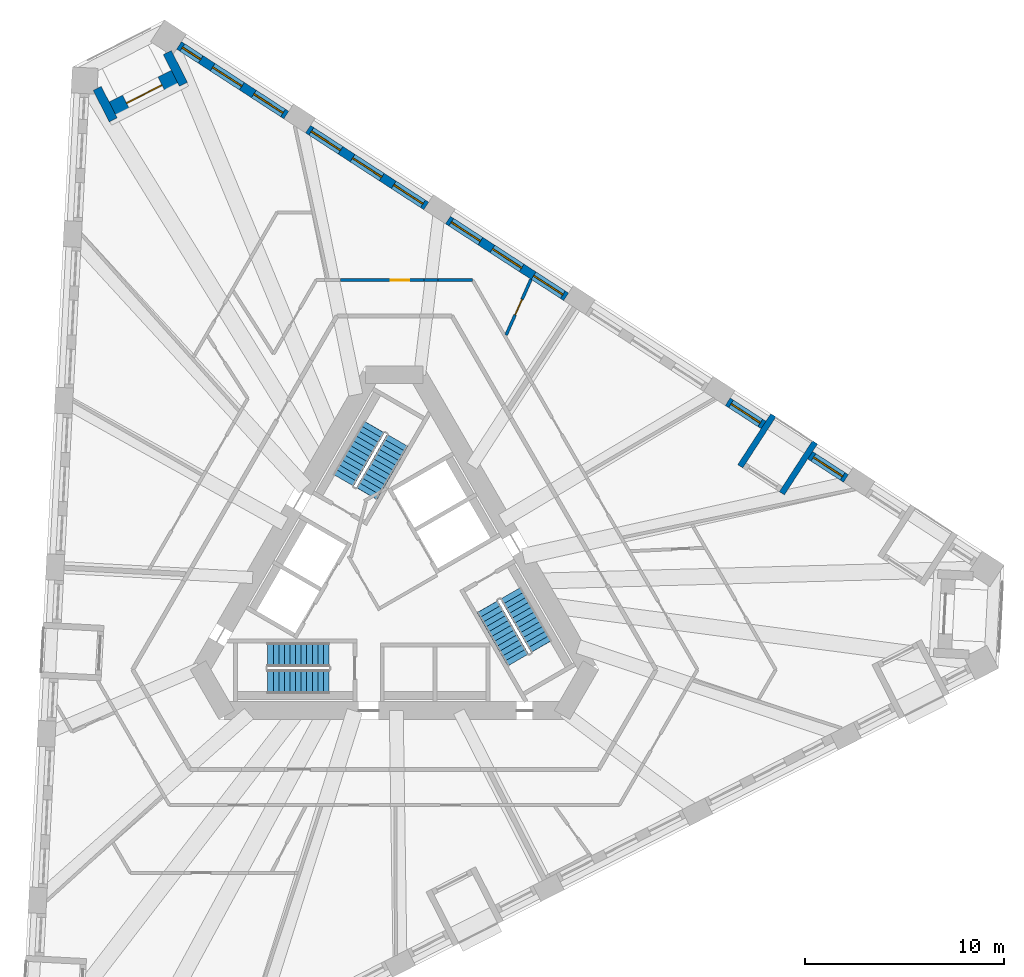
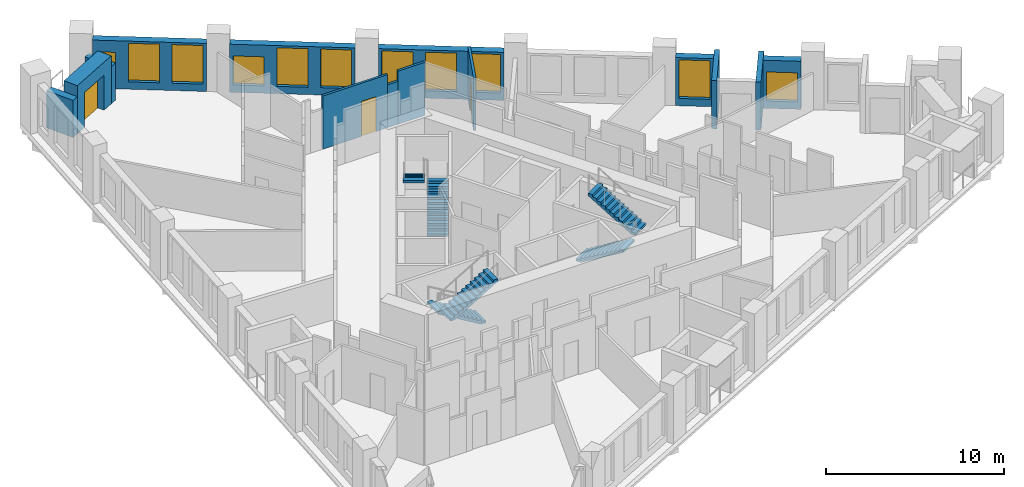
# One storey, part 8 of 12: 14 walls, 11 windows, 6 stair flights, 3 doors, 14 openings, 3 elements without a shape of their own.
"""IFC4 building model written with IfcOpenShell, lengths in metres."""

from ifc_helpers import new_model, si_unit, direction, frame, frame_2d, origin, place, context, subcontext, project, spatial, polyline, rectangle, outline, extrude, material, layer, layer_set, type_object, element, fill, aggregate, save


model = new_model("IFC4")

# Units and contexts
model_context = context("Model", 3, precision=1e-05, world=origin(), true_north=direction((0.0, 1.0)))
body_context = subcontext(model_context, "Body", "Model", "MODEL_VIEW")
ifc_project = project(units=[si_unit("LENGTHUNIT", "METRE"), si_unit("AREAUNIT", "SQUARE_METRE"), si_unit("VOLUMEUNIT", "CUBIC_METRE"), si_unit("PLANEANGLEUNIT", "RADIAN"), si_unit("MASSUNIT", "GRAM", prefix="KILO")], contexts=[model_context])

# Site, building, storey
site_placement = place(None, origin())
site = spatial("IfcSite", under=ifc_project, at=site_placement, CompositionType="ELEMENT")
building_placement = place(site_placement, origin())
building = spatial("IfcBuilding", under=site, at=building_placement, Name="Tramontana Tower", CompositionType="ELEMENT")
storey_placement = place(building_placement, frame((0.0, 0.0, 129.60009765625)))
storey = spatial("IfcBuildingStorey", under=building, at=storey_placement, Name="L29", CompositionType="ELEMENT", Elevation=129.60009765625)

# Wall, opening, window
ifc_material_1 = material(Name="Precast concrete 60 MPa", Category="concrete")
ifc_layer_1 = layer(ifc_material_1, 0.449951171875)
ifc_layer_set_1 = layer_set([ifc_layer_1], Name="Precast concrete 60 MPa, 450 mm")
wall_type_1 = type_object("IfcWallType", Name="EW1 Stone-faced precast wall 450", PredefinedType="SOLIDWALL", material=ifc_layer_set_1)
wall_1_placement = place(storey_placement, frame((22.660400390625, 5.345703125, 0.0), z_axis=(0.0, 0.0, 1.0), x_axis=(-0.838675466927, 0.544631491171, 0.0)))
wall_1 = element("IfcWall", 1, at=wall_1_placement, inside=storey, type_object=wall_type_1, Name="External wall L29 face 2 bay 2", PredefinedType="SOLIDWALL", context=body_context, shape_type="SweptSolid", body=[
    extrude(rectangle(XDim=2.140380859375, YDim=0.449951171875, at=frame_2d((1.0703125, 0.0))), origin(), (0.0, 0.0, 1.0), 3.2998046875),
])
opening_1_placement = place(wall_1_placement, frame((0.1953125, 0.0, 0.5)))
opening_1 = element("IfcOpeningElement", 2, at=opening_1_placement, cuts=wall_1, Name="Opening M2L", PredefinedType="OPENING", context=body_context, shape_type="SweptSolid", body=[
    extrude(rectangle(XDim=1.75, YDim=2.0, at=frame_2d((0.875, 1.0))), frame((0.0, 0.23486328125, 0.0), z_axis=(0.0, -1.0, 0.0), x_axis=(1.0, 0.0, 0.0)), (0.0, 0.0, 1.0), 0.469970703125),
])
ifc_material_2 = material(Name="Aluminum frame, double glazing unit", Category="aluminium")
window_type_1 = type_object("IfcWindowType", Name="M2L Window 1.75 x 2", PartitioningType="SINGLE_PANEL", PredefinedType="WINDOW", material=ifc_material_2)
window_1_placement = place(opening_1_placement, origin())
window_1 = element("IfcWindow", 3, at=window_1_placement, inside=storey, type_object=window_type_1, Name="Window M2L L29 face 2 module 4", OverallHeight=2.0, OverallWidth=1.75, PartitioningType="SINGLE_PANEL", PredefinedType="WINDOW", context=body_context, shape_type="SweptSolid", body=[
    extrude(rectangle(XDim=1.75, YDim=2.0, at=frame_2d((0.875, 1.0))), frame((0.0, 0.030029296875, 0.0), z_axis=(0.0, -1.0, 0.0), x_axis=(1.0, 0.0, 0.0)), (0.0, 0.0, 1.0), 0.06005859375),
])
fill(opening_1, window_1)

wall_2_placement = place(storey_placement, frame((18.52490234375, 8.03125, 0.0), z_axis=(0.0, 0.0, 1.0), x_axis=(-0.838675466927, 0.544631491171, 0.0)))
wall_2 = element("IfcWall", 4, at=wall_2_placement, inside=storey, type_object=wall_type_1, Name="External wall L29 face 2 bay 2", PredefinedType="SOLIDWALL", context=body_context, shape_type="SweptSolid", body=[
    extrude(rectangle(XDim=2.140380859375, YDim=0.449951171875, at=frame_2d((1.0703125, 0.0))), origin(), (0.0, 0.0, 1.0), 3.2998046875),
])
opening_2_placement = place(wall_2_placement, frame((0.1953125, 0.0, 0.5)))
opening_2 = element("IfcOpeningElement", 5, at=opening_2_placement, cuts=wall_2, Name="Opening M2", PredefinedType="OPENING", context=body_context, shape_type="SweptSolid", body=[
    extrude(rectangle(XDim=1.75, YDim=2.64990234375, at=frame_2d((0.875, 1.324951171875))), frame((0.0, 0.23486328125, 0.0), z_axis=(0.0, -1.0, 0.0), x_axis=(1.0, 0.0, 0.0)), (0.0, 0.0, 1.0), 0.469970703125),
])
ifc_material_3 = material(Name="Aluminum frame, double glazing unit", Category="aluminium")
window_type_2 = type_object("IfcWindowType", Name="M2 Window 1.75 x 2.65", PartitioningType="SINGLE_PANEL", PredefinedType="WINDOW", material=ifc_material_3)
window_2_placement = place(opening_2_placement, origin())
window_2 = element("IfcWindow", 6, at=window_2_placement, inside=storey, type_object=window_type_2, Name="Window M2 L29 face 2 module 6", OverallHeight=2.64990234375, OverallWidth=1.75, PartitioningType="SINGLE_PANEL", PredefinedType="WINDOW", context=body_context, shape_type="SweptSolid", body=[
    extrude(rectangle(XDim=1.75, YDim=2.64990234375, at=frame_2d((0.875, 1.324951171875))), frame((0.0, 0.030029296875, 0.0), z_axis=(0.0, -1.0, 0.0), x_axis=(1.0, 0.0, 0.0)), (0.0, 0.0, 1.0), 0.06005859375),
])
fill(opening_2, window_2)

# Wall, openings, windows
wall_3_placement = place(storey_placement, frame((8.618408203125, 14.464599609375, 0.0), z_axis=(0.0, 0.0, 1.0), x_axis=(-0.838661251934, 0.544653380146, 0.0)))
wall_3 = element("IfcWall", 7, at=wall_3_placement, inside=storey, type_object=wall_type_1, Name="External wall L29 face 2 bay 4", PredefinedType="SOLIDWALL", context=body_context, shape_type="SweptSolid", body=[
    extrude(rectangle(XDim=7.071533203125, YDim=0.449951171875, at=frame_2d((3.53564453125, 0.0))), origin(), (0.0, 0.0, 1.0), 3.2998046875),
])
opening_3_placement = place(wall_3_placement, frame((0.1953125, 0.0, 0.5)))
opening_3 = element("IfcOpeningElement", 8, at=opening_3_placement, cuts=wall_3, Name="Opening M2", PredefinedType="OPENING", context=body_context, shape_type="SweptSolid", body=[
    extrude(rectangle(XDim=1.75, YDim=2.64990234375, at=frame_2d((0.875, 1.324951171875))), frame((0.0, 0.23486328125, 0.0), z_axis=(0.0, -1.0, 0.0), x_axis=(1.0, 0.0, 0.0)), (0.0, 0.0, 1.0), 0.469970703125),
])
opening_4_placement = place(wall_3_placement, frame((2.660888671875, 0.0, 0.5)))
opening_4 = element("IfcOpeningElement", 9, at=opening_4_placement, cuts=wall_3, Name="Opening M2", PredefinedType="OPENING", context=body_context, shape_type="SweptSolid", body=[
    extrude(rectangle(XDim=1.75, YDim=2.64990234375, at=frame_2d((0.875, 1.324951171875))), frame((0.0, 0.23486328125, 0.0), z_axis=(0.0, -1.0, 0.0), x_axis=(1.0, 0.0, 0.0)), (0.0, 0.0, 1.0), 0.469970703125),
])
opening_5_placement = place(wall_3_placement, frame((5.126220703125, 0.0, 0.5)))
opening_5 = element("IfcOpeningElement", 10, at=opening_5_placement, cuts=wall_3, Name="Opening M2", PredefinedType="OPENING", context=body_context, shape_type="SweptSolid", body=[
    extrude(rectangle(XDim=1.75, YDim=2.64990234375, at=frame_2d((0.875, 1.324951171875))), frame((0.0, 0.23486328125, 0.0), z_axis=(0.0, -1.0, 0.0), x_axis=(1.0, 0.0, 0.0)), (0.0, 0.0, 1.0), 0.469970703125),
])
window_3_placement = place(opening_3_placement, origin())
window_3 = element("IfcWindow", 11, at=window_3_placement, inside=storey, type_object=window_type_2, Name="Window M2 L29 face 2 module 10", OverallHeight=2.64990234375, OverallWidth=1.75, PartitioningType="SINGLE_PANEL", PredefinedType="WINDOW", context=body_context, shape_type="SweptSolid", body=[
    extrude(rectangle(XDim=1.75, YDim=2.64990234375, at=frame_2d((0.875, 1.324951171875))), frame((0.0, 0.030029296875, 0.0), z_axis=(0.0, -1.0, 0.0), x_axis=(1.0, 0.0, 0.0)), (0.0, 0.0, 1.0), 0.06005859375),
])
fill(opening_3, window_3)
window_4_placement = place(opening_4_placement, origin())
window_4 = element("IfcWindow", 12, at=window_4_placement, inside=storey, type_object=window_type_2, Name="Window M2 L29 face 2 module 11", OverallHeight=2.64990234375, OverallWidth=1.75, PartitioningType="SINGLE_PANEL", PredefinedType="WINDOW", context=body_context, shape_type="SweptSolid", body=[
    extrude(rectangle(XDim=1.75, YDim=2.64990234375, at=frame_2d((0.875, 1.324951171875))), frame((0.0, 0.030029296875, 0.0), z_axis=(0.0, -1.0, 0.0), x_axis=(1.0, 0.0, 0.0)), (0.0, 0.0, 1.0), 0.06005859375),
])
fill(opening_4, window_4)
window_5_placement = place(opening_5_placement, origin())
window_5 = element("IfcWindow", 13, at=window_5_placement, inside=storey, type_object=window_type_2, Name="Window M2 L29 face 2 module 12", OverallHeight=2.64990234375, OverallWidth=1.75, PartitioningType="SINGLE_PANEL", PredefinedType="WINDOW", context=body_context, shape_type="SweptSolid", body=[
    extrude(rectangle(XDim=1.75, YDim=2.64990234375, at=frame_2d((0.875, 1.324951171875))), frame((0.0, 0.030029296875, 0.0), z_axis=(0.0, -1.0, 0.0), x_axis=(1.0, 0.0, 0.0)), (0.0, 0.0, 1.0), 0.06005859375),
])
fill(opening_5, window_5)

wall_4_placement = place(storey_placement, frame((1.597412109375, 19.024169921875, 0.0), z_axis=(0.0, 0.0, 1.0), x_axis=(-0.838677021821, 0.54462909679, 0.0)))
wall_4 = element("IfcWall", 14, at=wall_4_placement, inside=storey, type_object=wall_type_1, Name="External wall L29 face 2 bay 5", PredefinedType="SOLIDWALL", context=body_context, shape_type="SweptSolid", body=[
    extrude(rectangle(XDim=7.071533203125, YDim=0.449951171875, at=frame_2d((3.53564453125, 0.0))), origin(), (0.0, 0.0, 1.0), 3.2998046875),
])
opening_6_placement = place(wall_4_placement, frame((0.1953125, 0.0, 0.5)))
opening_6 = element("IfcOpeningElement", 15, at=opening_6_placement, cuts=wall_4, Name="Opening M2", PredefinedType="OPENING", context=body_context, shape_type="SweptSolid", body=[
    extrude(rectangle(XDim=1.75, YDim=2.64990234375, at=frame_2d((0.875, 1.324951171875))), frame((0.0, 0.23486328125, 0.0), z_axis=(0.0, -1.0, 0.0), x_axis=(1.0, 0.0, 0.0)), (0.0, 0.0, 1.0), 0.469970703125),
])
opening_7_placement = place(wall_4_placement, frame((2.660888671875, 0.0, 0.5)))
opening_7 = element("IfcOpeningElement", 16, at=opening_7_placement, cuts=wall_4, Name="Opening M2", PredefinedType="OPENING", context=body_context, shape_type="SweptSolid", body=[
    extrude(rectangle(XDim=1.75, YDim=2.64990234375, at=frame_2d((0.875, 1.324951171875))), frame((0.0, 0.23486328125, 0.0), z_axis=(0.0, -1.0, 0.0), x_axis=(1.0, 0.0, 0.0)), (0.0, 0.0, 1.0), 0.469970703125),
])
opening_8_placement = place(wall_4_placement, frame((5.126220703125, 0.0, 0.5)))
opening_8 = element("IfcOpeningElement", 17, at=opening_8_placement, cuts=wall_4, Name="Opening M2L", PredefinedType="OPENING", context=body_context, shape_type="SweptSolid", body=[
    extrude(rectangle(XDim=1.75, YDim=2.0, at=frame_2d((0.875, 1.0))), frame((0.0, 0.23486328125, 0.0), z_axis=(0.0, -1.0, 0.0), x_axis=(1.0, 0.0, 0.0)), (0.0, 0.0, 1.0), 0.469970703125),
])
window_6_placement = place(opening_6_placement, origin())
window_6 = element("IfcWindow", 18, at=window_6_placement, inside=storey, type_object=window_type_2, Name="Window M2 L29 face 2 module 13", OverallHeight=2.64990234375, OverallWidth=1.75, PartitioningType="SINGLE_PANEL", PredefinedType="WINDOW", context=body_context, shape_type="SweptSolid", body=[
    extrude(rectangle(XDim=1.75, YDim=2.64990234375, at=frame_2d((0.875, 1.324951171875))), frame((0.0, 0.030029296875, 0.0), z_axis=(0.0, -1.0, 0.0), x_axis=(1.0, 0.0, 0.0)), (0.0, 0.0, 1.0), 0.06005859375),
])
fill(opening_6, window_6)
window_7_placement = place(opening_7_placement, origin())
window_7 = element("IfcWindow", 19, at=window_7_placement, inside=storey, type_object=window_type_2, Name="Window M2 L29 face 2 module 14", OverallHeight=2.64990234375, OverallWidth=1.75, PartitioningType="SINGLE_PANEL", PredefinedType="WINDOW", context=body_context, shape_type="SweptSolid", body=[
    extrude(rectangle(XDim=1.75, YDim=2.64990234375, at=frame_2d((0.875, 1.324951171875))), frame((0.0, 0.030029296875, 0.0), z_axis=(0.0, -1.0, 0.0), x_axis=(1.0, 0.0, 0.0)), (0.0, 0.0, 1.0), 0.06005859375),
])
fill(opening_7, window_7)
window_8_placement = place(opening_8_placement, origin())
window_8 = element("IfcWindow", 20, at=window_8_placement, inside=storey, type_object=window_type_1, Name="Window M2L L29 face 2 module 15", OverallHeight=2.0, OverallWidth=1.75, PartitioningType="SINGLE_PANEL", PredefinedType="WINDOW", context=body_context, shape_type="SweptSolid", body=[
    extrude(rectangle(XDim=1.75, YDim=2.0, at=frame_2d((0.875, 1.0))), frame((0.0, 0.030029296875, 0.0), z_axis=(0.0, -1.0, 0.0), x_axis=(1.0, 0.0, 0.0)), (0.0, 0.0, 1.0), 0.06005859375),
])
fill(opening_8, window_8)

wall_5_placement = place(storey_placement, frame((-5.423583984375, 23.583740234375, 0.0), z_axis=(0.0, 0.0, 1.0), x_axis=(-0.838675466927, 0.544631491171, 0.0)))
wall_5 = element("IfcWall", 21, at=wall_5_placement, inside=storey, type_object=wall_type_1, Name="External wall L29 face 2 bay 6", PredefinedType="SOLIDWALL", context=body_context, shape_type="SweptSolid", body=[
    extrude(rectangle(XDim=6.42138671875, YDim=0.449951171875, at=frame_2d((3.210693359375, 0.0))), origin(), (0.0, 0.0, 1.0), 3.2998046875),
])
opening_9_placement = place(wall_5_placement, frame((0.1953125, 0.0, 0.5)))
opening_9 = element("IfcOpeningElement", 22, at=opening_9_placement, cuts=wall_5, Name="Opening M2", PredefinedType="OPENING", context=body_context, shape_type="SweptSolid", body=[
    extrude(rectangle(XDim=1.75, YDim=2.64990234375, at=frame_2d((0.875, 1.324951171875))), frame((0.0, 0.23486328125, 0.0), z_axis=(0.0, -1.0, 0.0), x_axis=(1.0, 0.0, 0.0)), (0.0, 0.0, 1.0), 0.469970703125),
])
opening_10_placement = place(wall_5_placement, frame((2.660888671875, 0.0, 0.5)))
opening_10 = element("IfcOpeningElement", 23, at=opening_10_placement, cuts=wall_5, Name="Opening M2", PredefinedType="OPENING", context=body_context, shape_type="SweptSolid", body=[
    extrude(rectangle(XDim=1.75, YDim=2.64990234375, at=frame_2d((0.875, 1.324951171875))), frame((0.0, 0.23486328125, 0.0), z_axis=(0.0, -1.0, 0.0), x_axis=(1.0, 0.0, 0.0)), (0.0, 0.0, 1.0), 0.469970703125),
])
opening_11_placement = place(wall_5_placement, frame((5.126220703125, 0.0, 0.5)))
opening_11 = element("IfcOpeningElement", 24, at=opening_11_placement, cuts=wall_5, Name="Opening N2L", PredefinedType="OPENING", context=body_context, shape_type="SweptSolid", body=[
    extrude(rectangle(XDim=1.10009765625, YDim=2.0, at=frame_2d((0.550048828125, 1.0))), frame((0.0, 0.23486328125, 0.0), z_axis=(0.0, -1.0, 0.0), x_axis=(1.0, 0.0, 0.0)), (0.0, 0.0, 1.0), 0.469970703125),
])
window_9_placement = place(opening_9_placement, origin())
window_9 = element("IfcWindow", 25, at=window_9_placement, inside=storey, type_object=window_type_2, Name="Window M2 L29 face 2 module 16", OverallHeight=2.64990234375, OverallWidth=1.75, PartitioningType="SINGLE_PANEL", PredefinedType="WINDOW", context=body_context, shape_type="SweptSolid", body=[
    extrude(rectangle(XDim=1.75, YDim=2.64990234375, at=frame_2d((0.875, 1.324951171875))), frame((0.0, 0.030029296875, 0.0), z_axis=(0.0, -1.0, 0.0), x_axis=(1.0, 0.0, 0.0)), (0.0, 0.0, 1.0), 0.06005859375),
])
fill(opening_9, window_9)
window_10_placement = place(opening_10_placement, origin())
window_10 = element("IfcWindow", 26, at=window_10_placement, inside=storey, type_object=window_type_2, Name="Window M2 L29 face 2 module 17", OverallHeight=2.64990234375, OverallWidth=1.75, PartitioningType="SINGLE_PANEL", PredefinedType="WINDOW", context=body_context, shape_type="SweptSolid", body=[
    extrude(rectangle(XDim=1.75, YDim=2.64990234375, at=frame_2d((0.875, 1.324951171875))), frame((0.0, 0.030029296875, 0.0), z_axis=(0.0, -1.0, 0.0), x_axis=(1.0, 0.0, 0.0)), (0.0, 0.0, 1.0), 0.06005859375),
])
fill(opening_10, window_10)
ifc_material_4 = material(Name="Aluminum frame, double glazing unit", Category="aluminium")
window_type_3 = type_object("IfcWindowType", Name="N2L Window 1.1 x 2", PartitioningType="SINGLE_PANEL", PredefinedType="WINDOW", material=ifc_material_4)
window_11_placement = place(opening_11_placement, origin())
window_11 = element("IfcWindow", 27, at=window_11_placement, inside=storey, type_object=window_type_3, Name="Window N2L L29 face 2 module 18", OverallHeight=2.0, OverallWidth=1.10009765625, PartitioningType="SINGLE_PANEL", PredefinedType="WINDOW", context=body_context, shape_type="SweptSolid", body=[
    extrude(rectangle(XDim=1.10009765625, YDim=2.0, at=frame_2d((0.550048828125, 1.0))), frame((0.0, 0.030029296875, 0.0), z_axis=(0.0, -1.0, 0.0), x_axis=(1.0, 0.0, 0.0)), (0.0, 0.0, 1.0), 0.06005859375),
])
fill(opening_11, window_11)

# Walls
for number, where, z_axis, x_axis, name in (
    (28, (-14.916015625, 24.924072265625, 0.0), (0.0, 0.0, 1.0), (0.453952505513, -0.891025882193, 0.0), "Corner loggia side wall L29 K30l"),
    (29, (-11.396484375, 26.71728515625, 0.0), (0.0, 0.0, 1.0), (0.453952505513, -0.891025882193, 0.0), "Corner loggia side wall L29 K30r"),
):
    element("IfcWall", number, at=place(storey_placement, frame(where, z_axis=z_axis, x_axis=x_axis)), inside=storey, type_object=wall_type_1, Name=name, PredefinedType="SOLIDWALL", context=body_context, shape_type="SweptSolid", body=[
        extrude(rectangle(XDim=1.779052734375, YDim=0.449951171875, at=frame_2d((0.8896484375, 0.0))), origin(), (0.0, 0.0, 1.0), 2.5498046875),
    ])

# Wall, opening, door
ifc_material_5 = material(Name="Precast concrete 60 MPa", Category="concrete")
ifc_layer_2 = layer(ifc_material_5, 0.89990234375)
ifc_layer_set_2 = layer_set([ifc_layer_2], Name="EW2 Stone-faced corner loggia wall 900")
wall_type_2 = type_object("IfcWallType", Name="EW2 Stone-faced corner loggia wall 900", PredefinedType="SOLIDWALL", material=ifc_layer_set_2)
wall_6_placement = place(storey_placement, frame((-14.112060546875, 23.841796875, 0.0), z_axis=(0.0, 0.0, 1.0), x_axis=(0.890983062796, 0.454036542374, 0.0)))
wall_6 = element("IfcWall", 30, at=wall_6_placement, inside=storey, type_object=wall_type_2, Name="Corner loggia wall L29 K30", PredefinedType="SOLIDWALL", context=body_context, shape_type="SweptSolid", body=[
    extrude(rectangle(XDim=3.5, YDim=0.89990234375, at=frame_2d((1.75, 0.0))), origin(), (0.0, 0.0, 1.0), 3.2998046875),
])
opening_12_placement = place(wall_6_placement, frame((0.75, 0.0, 0.0)))
opening_12 = element("IfcOpeningElement", 31, at=opening_12_placement, cuts=wall_6, Name="Opening BD-30C", PredefinedType="OPENING", context=body_context, shape_type="SweptSolid", body=[
    extrude(rectangle(XDim=2.0, YDim=2.39990234375, at=frame_2d((1.0, 1.199951171875))), frame((0.0, 0.4599609375, 0.0), z_axis=(0.0, -1.0, 0.0), x_axis=(1.0, 0.0, 0.0)), (0.0, 0.0, 1.0), 0.919921875),
])
ifc_material_6 = material(Name="Aluminum frame, double glazing unit", Category="aluminium")
door_type_1 = type_object("IfcDoorType", Name="BC1 Sliding door 2 x 2.4", OperationType="SLIDING_TO_LEFT", PredefinedType="DOOR", material=ifc_material_6)
door_1_placement = place(opening_12_placement, origin())
door_1 = element("IfcDoor", 32, at=door_1_placement, inside=storey, type_object=door_type_1, Name="Corner loggia door L29 K30", OperationType="SLIDING_TO_LEFT", OverallHeight=2.39990234375, OverallWidth=2.0, PredefinedType="DOOR", context=body_context, shape_type="SweptSolid", body=[
    extrude(rectangle(XDim=2.0, YDim=2.39990234375, at=frame_2d((1.0, 1.199951171875))), frame((0.0, 0.02490234375, 0.0), z_axis=(0.0, -1.0, 0.0), x_axis=(1.0, 0.0, 0.0)), (0.0, 0.0, 1.0), 0.050048828125),
])
fill(opening_12, door_1)

# Walls
ifc_material_7 = material(Name="Precast concrete 60 MPa", Category="concrete")
ifc_layer_3 = layer(ifc_material_7, 0.300048828125)
ifc_layer_set_3 = layer_set([ifc_layer_3], Name="LW1 Stone-faced loggia wall 300")
wall_type_3 = type_object("IfcWallType", Name="LW1 Stone-faced loggia wall 300", PredefinedType="SOLIDWALL", material=ifc_layer_set_3)
for number, where, z_axis, x_axis, name in (
    (33, (21.10693359375, 7.1591796875, 0.0), (0.0, 0.0, 1.0), (-0.544647854685, -0.838664840319, 0.0), "Loggia return L29 G3S2.4a"),
    (34, (19.018310546875, 8.515625, 0.0), (0.0, 0.0, 1.0), (-0.544647854685, -0.838664840319, 0.0), "Loggia return L29 G3S2.4b"),
):
    element("IfcWall", number, at=place(storey_placement, frame(where, z_axis=z_axis, x_axis=x_axis)), inside=storey, type_object=wall_type_3, Name=name, PredefinedType="SOLIDWALL", context=body_context, shape_type="SweptSolid", body=[
        extrude(rectangle(XDim=3.0498046875, YDim=0.300048828125, at=frame_2d((1.52490234375, 0.0))), origin(), (0.0, 0.0, 1.0), 3.2998046875),
    ])

# Wall, opening, door
ifc_material_8 = material(Name="Gypsum board partition")
ifc_layer_4 = layer(ifc_material_8, 0.14990234375)
ifc_layer_set_4 = layer_set([ifc_layer_4], Name="PARTITION 150")
wall_type_4 = type_object("IfcWallType", Name="PARTITION 150", PredefinedType="PARTITIONING", material=ifc_layer_set_4)
wall_7_placement = place(storey_placement, frame((-2.711669921875, 15.300048828125, 0.0), z_axis=(0.0, 0.0, 1.0), x_axis=(1.0, 0.0, 0.0)))
wall_7 = element("IfcWall", 35, at=wall_7_placement, inside=storey, type_object=wall_type_4, Name="Wall v30-pw17-2", PredefinedType="PARTITIONING", context=body_context, shape_type="SweptSolid", body=[
    extrude(rectangle(XDim=4.20947265625, YDim=0.14990234375, at=frame_2d((2.104736328125, 0.0))), origin(), (0.0, 0.0, 1.0), 3.64990234375),
])
opening_13_placement = place(wall_7_placement, frame((2.517822265625, 0.0, 0.0)))
opening_13 = element("IfcOpeningElement", 36, at=opening_13_placement, cuts=wall_7, Name="Opening B3A-04", PredefinedType="OPENING", context=body_context, shape_type="SweptSolid", body=[
    extrude(rectangle(XDim=0.949951171875, YDim=2.39990234375, at=frame_2d((0.47509765625, 1.199951171875))), frame((0.0, 0.0849609375, 0.0), z_axis=(0.0, -1.0, 0.0), x_axis=(1.0, 0.0, 0.0)), (0.0, 0.0, 1.0), 0.169921875),
])
ifc_material_9 = material(Name="Painted timber", Category="wood")
door_type_2 = type_object("IfcDoorType", Name="DOOR ROOM 950", OperationType="SINGLE_SWING_LEFT", PredefinedType="DOOR", material=ifc_material_9)
door_2_placement = place(opening_13_placement, origin())
door_2 = element("IfcDoor", 37, at=door_2_placement, inside=storey, type_object=door_type_2, Name="Door B3A-04", OperationType="SINGLE_SWING_RIGHT", OverallHeight=2.39990234375, OverallWidth=0.949951171875, PredefinedType="DOOR", context=body_context, shape_type="SweptSolid", body=[
    extrude(rectangle(XDim=0.949951171875, YDim=2.39990234375, at=frame_2d((0.47509765625, 1.199951171875))), frame((0.0, 0.02490234375, 0.0), z_axis=(0.0, -1.0, 0.0), x_axis=(1.0, 0.0, 0.0)), (0.0, 0.0, 1.0), 0.050048828125),
])
fill(opening_13, door_2)

# Walls
wall_8_placement = place(storey_placement, frame((1.497802734375, 15.300048828125, 0.0), z_axis=(0.0, 0.0, 1.0), x_axis=(1.0, 0.0, 0.0)))
element("IfcWall", 38, at=wall_8_placement, inside=storey, type_object=wall_type_4, Name="Wall v30-pw17-3", PredefinedType="PARTITIONING", context=body_context, shape_type="SweptSolid", body=[
    extrude(rectangle(XDim=0.6796875, YDim=0.14990234375, at=frame_2d((0.33984375, 0.0))), origin(), (0.0, 0.0, 1.0), 2.949951171875),
])
wall_9_placement = place(storey_placement, frame((2.177490234375, 15.300048828125, 0.0), z_axis=(0.0, 0.0, 1.0), x_axis=(1.0, 0.0, 0.0)))
element("IfcWall", 39, at=wall_9_placement, inside=storey, type_object=wall_type_4, Name="Wall v30-pw17-4", PredefinedType="PARTITIONING", context=body_context, shape_type="SweptSolid", body=[
    extrude(rectangle(XDim=1.74853515625, YDim=0.14990234375, at=frame_2d((0.874267578125, 0.0))), origin(), (0.0, 0.0, 1.0), 3.64990234375),
])

# Wall, opening, door
wall_10_placement = place(storey_placement, frame((6.8564453125, 15.340576171875, 0.0), z_axis=(0.0, 0.0, 1.0), x_axis=(-0.408065741822, -0.912952545509, 0.0)))
wall_10 = element("IfcWall", 40, at=wall_10_placement, inside=storey, type_object=wall_type_4, Name="Wall v30-pw22", PredefinedType="PARTITIONING", context=body_context, shape_type="SweptSolid", body=[
    extrude(rectangle(XDim=3.066162109375, YDim=0.14990234375, at=frame_2d((1.533203125, 0.0))), origin(), (0.0, 0.0, 1.0), 3.64990234375),
])
opening_14_placement = place(wall_10_placement, frame((1.108154296875, 0.0, 0.0)))
opening_14 = element("IfcOpeningElement", 41, at=opening_14_placement, cuts=wall_10, Name="Opening B3A-07", PredefinedType="OPENING", context=body_context, shape_type="SweptSolid", body=[
    extrude(rectangle(XDim=0.85009765625, YDim=2.39990234375, at=frame_2d((0.425048828125, 1.199951171875))), frame((0.0, 0.0849609375, 0.0), z_axis=(0.0, -1.0, 0.0), x_axis=(1.0, 0.0, 0.0)), (0.0, 0.0, 1.0), 0.169921875),
])
ifc_material_10 = material(Name="Painted timber", Category="wood")
door_type_3 = type_object("IfcDoorType", Name="DOOR BATH 850", OperationType="SINGLE_SWING_LEFT", PredefinedType="DOOR", material=ifc_material_10)
door_3_placement = place(opening_14_placement, origin())
door_3 = element("IfcDoor", 42, at=door_3_placement, inside=storey, type_object=door_type_3, Name="Door B3A-07", OperationType="SINGLE_SWING_LEFT", OverallHeight=2.39990234375, OverallWidth=0.85009765625, PredefinedType="DOOR", context=body_context, shape_type="SweptSolid", body=[
    extrude(rectangle(XDim=0.85009765625, YDim=2.39990234375, at=frame_2d((0.425048828125, 1.199951171875))), frame((0.0, 0.02490234375, 0.0), z_axis=(0.0, -1.0, 0.0), x_axis=(1.0, 0.0, 0.0)), (0.0, 0.0, 1.0), 0.050048828125),
])
fill(opening_14, door_3)

# Stair, stair flights
ifc_material_11 = material(Name="Concrete 40 MPa", Category="concrete")
stair_type = type_object("IfcStairType", Name="EXIT STAIR 24 RISERS", PredefinedType="HALF_TURN_STAIR", material=ifc_material_11)
stair_1_placement = place(storey_placement, origin())
stair_1 = element("IfcStair", 43, at=stair_1_placement, inside=storey, type_object=stair_type, Name="L29 Exit stair ST1", PredefinedType="HALF_TURN_STAIR")
ifc_material_12 = material(Name="Concrete 40 MPa", Category="concrete")
ifc_layer_5 = layer(ifc_material_12, 0.14990234375)
ifc_layer_set_5 = layer_set([ifc_layer_5], Name="EXIT STAIR FLIGHT")
stair_flight_type = type_object("IfcStairFlightType", Name="EXIT STAIR FLIGHT", PredefinedType="STRAIGHT", material=ifc_layer_set_5)
stair_flight_1_placement = place(storey_placement, frame((-1.39111328125, 4.590576171875, 0.0), z_axis=(0.0, 0.0, 1.0), x_axis=(0.5, 0.866025403784, 0.0)))
stair_flight_1 = element("IfcStairFlight", 44, at=stair_flight_1_placement, type_object=stair_flight_type, Name="ST1 flight 1", NumberOfRisers=12, NumberOfTreads=11, PredefinedType="STRAIGHT", RiserHeight=0.166666667, TreadLength=0.28, context=body_context, shape_type="SweptSolid", body=[
    extrude(outline(polyline([(-0.006103515625, 0.0), (-0.006103515625, 0.0400390625), (0.0, 0.0400390625), (0.0, 0.166748046875), (0.280029296875, 0.166748046875), (0.280029296875, 0.333251953125), (0.56005859375, 0.333251953125), (0.56005859375, 0.5), (0.840087890625, 0.5), (0.840087890625, 0.666748046875), (1.1201171875, 0.666748046875), (1.1201171875, 0.833251953125), (1.39990234375, 0.833251953125), (1.39990234375, 1.0), (1.679931640625, 1.0), (1.679931640625, 1.166748046875), (1.9599609375, 1.166748046875), (1.9599609375, 1.333251953125), (2.239990234375, 1.333251953125), (2.239990234375, 1.5), (2.52001953125, 1.5), (2.52001953125, 1.666748046875), (2.800048828125, 1.666748046875), (2.800048828125, 1.833251953125), (3.080078125, 1.833251953125), (3.0859375, 1.833251953125), (3.0859375, 1.658935546875), (0.299072265625, 0.0), (-0.006103515625, 0.0)])), frame((0.0, 0.60009765625, 0.0), z_axis=(0.0, -1.0, 0.0), x_axis=(1.0, 0.0, 0.0)), (0.0, 0.0, 1.0), 1.199951171875),
])
stair_flight_2_placement = place(storey_placement, frame((-1.020263671875, 7.932861328125, 2.0), z_axis=(0.0, 0.0, 1.0), x_axis=(-0.5, -0.866025403784, 0.0)))
stair_flight_2 = element("IfcStairFlight", 45, at=stair_flight_2_placement, type_object=stair_flight_type, Name="ST1 flight 2", NumberOfRisers=12, NumberOfTreads=11, PredefinedType="STRAIGHT", RiserHeight=0.166666667, TreadLength=0.28, context=body_context, shape_type="SweptSolid", body=[
    extrude(outline(polyline([(-0.006103515625, 0.0), (-0.006103515625, 0.0400390625), (0.0, 0.0400390625), (0.0, 0.166748046875), (0.280029296875, 0.166748046875), (0.280029296875, 0.333251953125), (0.56005859375, 0.333251953125), (0.56005859375, 0.5), (0.840087890625, 0.5), (0.840087890625, 0.666748046875), (1.1201171875, 0.666748046875), (1.1201171875, 0.833251953125), (1.39990234375, 0.833251953125), (1.39990234375, 1.0), (1.679931640625, 1.0), (1.679931640625, 1.166748046875), (1.9599609375, 1.166748046875), (1.9599609375, 1.333251953125), (2.239990234375, 1.333251953125), (2.239990234375, 1.5), (2.52001953125, 1.5), (2.52001953125, 1.666748046875), (2.800048828125, 1.666748046875), (2.800048828125, 1.833251953125), (3.080078125, 1.833251953125), (3.0859375, 1.833251953125), (3.0859375, 1.658935546875), (0.299072265625, 0.0), (-0.006103515625, 0.0)])), frame((0.0, 0.60009765625, 0.0), z_axis=(0.0, -1.0, 0.0), x_axis=(1.0, 0.0, 0.0)), (0.0, 0.0, 1.0), 1.199951171875),
])
aggregate(stair_1, [stair_flight_1, stair_flight_2])

stair_2_placement = place(storey_placement, origin())
stair_2 = element("IfcStair", 46, at=stair_2_placement, inside=storey, type_object=stair_type, Name="L29 Exit stair ST2", PredefinedType="HALF_TURN_STAIR")
stair_flight_3_placement = place(storey_placement, frame((-3.280029296875, -3.5, 0.0), z_axis=(0.0, 0.0, 1.0), x_axis=(-1.0, 0.0, 0.0)))
stair_flight_3 = element("IfcStairFlight", 47, at=stair_flight_3_placement, type_object=stair_flight_type, Name="ST2 flight 1", NumberOfRisers=12, NumberOfTreads=11, PredefinedType="STRAIGHT", RiserHeight=0.166666667, TreadLength=0.28, context=body_context, shape_type="SweptSolid", body=[
    extrude(outline(polyline([(-0.006103515625, 0.0), (-0.006103515625, 0.0400390625), (0.0, 0.0400390625), (0.0, 0.166748046875), (0.280029296875, 0.166748046875), (0.280029296875, 0.333251953125), (0.56005859375, 0.333251953125), (0.56005859375, 0.5), (0.840087890625, 0.5), (0.840087890625, 0.666748046875), (1.1201171875, 0.666748046875), (1.1201171875, 0.833251953125), (1.39990234375, 0.833251953125), (1.39990234375, 1.0), (1.679931640625, 1.0), (1.679931640625, 1.166748046875), (1.9599609375, 1.166748046875), (1.9599609375, 1.333251953125), (2.239990234375, 1.333251953125), (2.239990234375, 1.5), (2.52001953125, 1.5), (2.52001953125, 1.666748046875), (2.800048828125, 1.666748046875), (2.800048828125, 1.833251953125), (3.080078125, 1.833251953125), (3.0859375, 1.833251953125), (3.0859375, 1.658935546875), (0.299072265625, 0.0), (-0.006103515625, 0.0)])), frame((0.0, 0.60009765625, 0.0), z_axis=(0.0, -1.0, 0.0), x_axis=(1.0, 0.0, 0.0)), (0.0, 0.0, 1.0), 1.199951171875),
])
stair_flight_4_placement = place(storey_placement, frame((-6.360107421875, -4.85009765625, 2.0), z_axis=(0.0, 0.0, 1.0), x_axis=(1.0, 0.0, 0.0)))
stair_flight_4 = element("IfcStairFlight", 48, at=stair_flight_4_placement, type_object=stair_flight_type, Name="ST2 flight 2", NumberOfRisers=12, NumberOfTreads=11, PredefinedType="STRAIGHT", RiserHeight=0.166666667, TreadLength=0.28, context=body_context, shape_type="SweptSolid", body=[
    extrude(outline(polyline([(-0.006103515625, 0.0), (-0.006103515625, 0.0400390625), (0.0, 0.0400390625), (0.0, 0.166748046875), (0.280029296875, 0.166748046875), (0.280029296875, 0.333251953125), (0.56005859375, 0.333251953125), (0.56005859375, 0.5), (0.840087890625, 0.5), (0.840087890625, 0.666748046875), (1.1201171875, 0.666748046875), (1.1201171875, 0.833251953125), (1.39990234375, 0.833251953125), (1.39990234375, 1.0), (1.679931640625, 1.0), (1.679931640625, 1.166748046875), (1.9599609375, 1.166748046875), (1.9599609375, 1.333251953125), (2.239990234375, 1.333251953125), (2.239990234375, 1.5), (2.52001953125, 1.5), (2.52001953125, 1.666748046875), (2.800048828125, 1.666748046875), (2.800048828125, 1.833251953125), (3.080078125, 1.833251953125), (3.0859375, 1.833251953125), (3.0859375, 1.658935546875), (0.299072265625, 0.0), (-0.006103515625, 0.0)])), frame((0.0, 0.60009765625, 0.0), z_axis=(0.0, -1.0, 0.0), x_axis=(1.0, 0.0, 0.0)), (0.0, 0.0, 1.0), 1.199951171875),
])
aggregate(stair_2, [stair_flight_3, stair_flight_4])

stair_3_placement = place(storey_placement, origin())
stair_3 = element("IfcStair", 49, at=stair_3_placement, inside=storey, type_object=stair_type, Name="L29 Exit stair ST3", PredefinedType="HALF_TURN_STAIR")
stair_flight_5_placement = place(storey_placement, frame((4.671142578125, -1.090576171875, 0.0), z_axis=(0.0, 0.0, 1.0), x_axis=(0.5, -0.866025403784, 0.0)))
stair_flight_5 = element("IfcStairFlight", 50, at=stair_flight_5_placement, type_object=stair_flight_type, Name="ST3 flight 1", NumberOfRisers=12, NumberOfTreads=11, PredefinedType="STRAIGHT", RiserHeight=0.166666667, TreadLength=0.28, context=body_context, shape_type="SweptSolid", body=[
    extrude(outline(polyline([(-0.006103515625, 0.0), (-0.006103515625, 0.0400390625), (0.0, 0.0400390625), (0.0, 0.166748046875), (0.280029296875, 0.166748046875), (0.280029296875, 0.333251953125), (0.56005859375, 0.333251953125), (0.56005859375, 0.5), (0.840087890625, 0.5), (0.840087890625, 0.666748046875), (1.1201171875, 0.666748046875), (1.1201171875, 0.833251953125), (1.39990234375, 0.833251953125), (1.39990234375, 1.0), (1.679931640625, 1.0), (1.679931640625, 1.166748046875), (1.9599609375, 1.166748046875), (1.9599609375, 1.333251953125), (2.239990234375, 1.333251953125), (2.239990234375, 1.5), (2.52001953125, 1.5), (2.52001953125, 1.666748046875), (2.800048828125, 1.666748046875), (2.800048828125, 1.833251953125), (3.080078125, 1.833251953125), (3.0859375, 1.833251953125), (3.0859375, 1.658935546875), (0.299072265625, 0.0), (-0.006103515625, 0.0)])), frame((0.0, 0.60009765625, 0.0), z_axis=(0.0, -1.0, 0.0), x_axis=(1.0, 0.0, 0.0)), (0.0, 0.0, 1.0), 1.199951171875),
])
stair_flight_6_placement = place(storey_placement, frame((7.380126953125, -3.0830078125, 2.0), z_axis=(0.0, 0.0, 1.0), x_axis=(-0.5, 0.866025403784, 0.0)))
stair_flight_6 = element("IfcStairFlight", 51, at=stair_flight_6_placement, type_object=stair_flight_type, Name="ST3 flight 2", NumberOfRisers=12, NumberOfTreads=11, PredefinedType="STRAIGHT", RiserHeight=0.166666667, TreadLength=0.28, context=body_context, shape_type="SweptSolid", body=[
    extrude(outline(polyline([(-0.006103515625, 0.0), (-0.006103515625, 0.0400390625), (0.0, 0.0400390625), (0.0, 0.166748046875), (0.280029296875, 0.166748046875), (0.280029296875, 0.333251953125), (0.56005859375, 0.333251953125), (0.56005859375, 0.5), (0.840087890625, 0.5), (0.840087890625, 0.666748046875), (1.1201171875, 0.666748046875), (1.1201171875, 0.833251953125), (1.39990234375, 0.833251953125), (1.39990234375, 1.0), (1.679931640625, 1.0), (1.679931640625, 1.166748046875), (1.9599609375, 1.166748046875), (1.9599609375, 1.333251953125), (2.239990234375, 1.333251953125), (2.239990234375, 1.5), (2.52001953125, 1.5), (2.52001953125, 1.666748046875), (2.800048828125, 1.666748046875), (2.800048828125, 1.833251953125), (3.080078125, 1.833251953125), (3.0859375, 1.833251953125), (3.0859375, 1.658935546875), (0.299072265625, 0.0), (-0.006103515625, 0.0)])), frame((0.0, 0.60009765625, 0.0), z_axis=(0.0, -1.0, 0.0), x_axis=(1.0, 0.0, 0.0)), (0.0, 0.0, 1.0), 1.199951171875),
])
aggregate(stair_3, [stair_flight_5, stair_flight_6])

save(model, "model.ifc")
